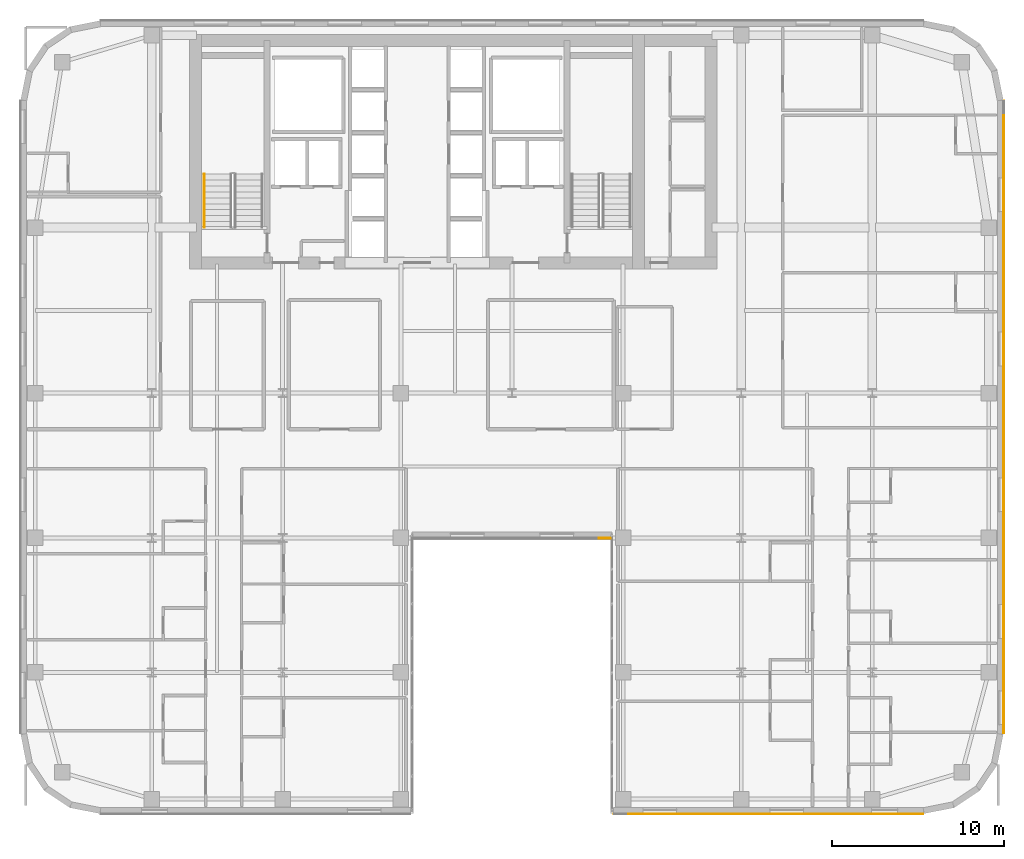
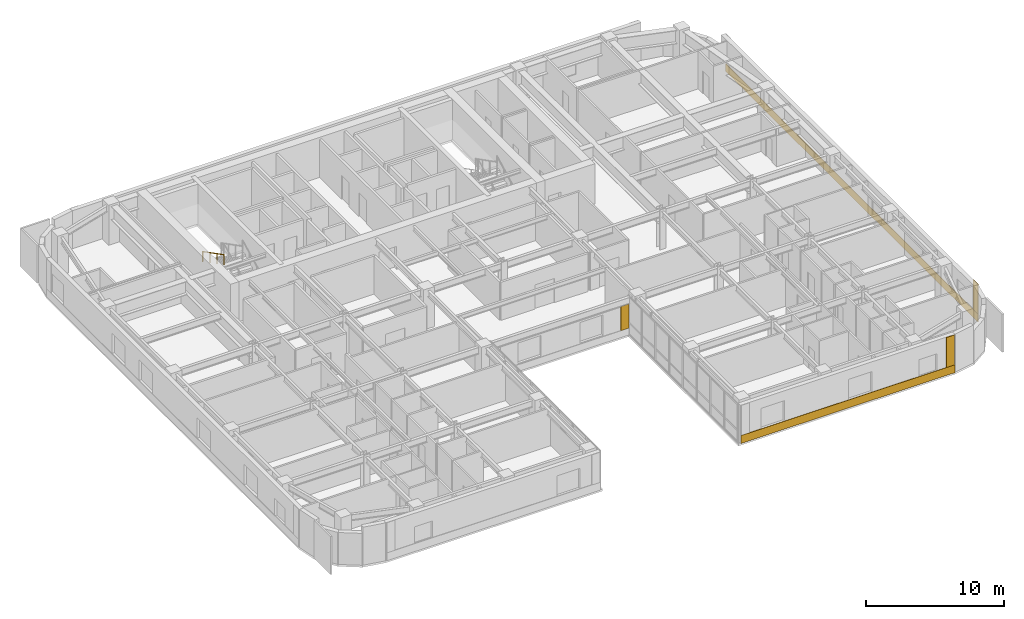
# One storey, part 22 of 25: 5 coverings, 1 railing.
"""IFC4 building model written with IfcOpenShell, lengths in metres."""

from ifc_helpers import new_model, si_unit, direction, frame, origin, origin_2d, place, context, subcontext, project, spatial, polyline, circle, outline, extrude, material, layer, layer_set, type_object, element, save


model = new_model("IFC4")

# Units and contexts
model_context = context("Model", 3, precision=1e-05, world=origin(), true_north=direction((0.0, 1.0)))
body_context = subcontext(model_context, "Body", "Model", "MODEL_VIEW")
ifc_project = project(units=[si_unit("LENGTHUNIT", "METRE"), si_unit("AREAUNIT", "SQUARE_METRE"), si_unit("VOLUMEUNIT", "CUBIC_METRE"), si_unit("PLANEANGLEUNIT", "RADIAN"), si_unit("MASSUNIT", "GRAM", prefix="KILO")], contexts=[model_context])

# Site, building, storey
site_placement = place(None, origin())
site = spatial("IfcSite", under=ifc_project, at=site_placement, CompositionType="ELEMENT")
building_placement = place(site_placement, origin())
building = spatial("IfcBuilding", under=site, at=building_placement, Name="Tolvann Quenvar Hotel", CompositionType="ELEMENT")
storey_placement = place(building_placement, frame((0.0, 0.0, 132.85009765625)))
storey = spatial("IfcBuildingStorey", under=building, at=storey_placement, Name="L34", CompositionType="ELEMENT", Elevation=132.85009765625)

# Coverings
ifc_material_1 = material(Name="Kiln-fired red architectural face brick cladding", Category="masonry")
ifc_layer_1 = layer(ifc_material_1, 0.0400390625)
ifc_layer_set_1 = layer_set([ifc_layer_1], Name="Kiln-fired red architectural face brick cladding")
covering_type_1 = type_object("IfcCoveringType", Name="COV_CLAD_BRICK_40", PredefinedType="CLADDING", material=ifc_layer_set_1)
covering_1_placement = place(storey_placement, frame((0.0, 0.0, 0.6044921875)))
element("IfcCovering", 1, at=covering_1_placement, inside=storey, type_object=covering_type_1, Name="Brick Pier Cladding (L34-E06-P2)", PredefinedType="CLADDING", context=body_context, shape_type="SweptSolid", body=[
    extrude(outline(polyline([(33.5400390625, 16.0), (34.239990234375, 16.0), (34.239990234375, 15.9599609375), (33.5400390625, 15.9599609375), (33.5400390625, 16.0)])), origin(), (0.0, 0.0, 1.0), 2.143310546875),
])
covering_2_placement = place(storey_placement, frame((0.0, 0.0, 0.699951171875)))
element("IfcCovering", 2, at=covering_2_placement, inside=storey, type_object=covering_type_1, Name="Brick Pier Cladding (L34-E08-P2)", PredefinedType="CLADDING", context=body_context, shape_type="SweptSolid", body=[
    extrude(outline(polyline([(51.6328125, 0.0), (52.332763671875, 0.0), (52.332763671875, -0.0400390625), (51.6328125, -0.0400390625), (51.6328125, 0.0)])), origin(), (0.0, 0.0, 1.0), 2.669921875),
])
covering_3_placement = place(storey_placement, frame((0.0, 0.0, 0.699951171875)))
element("IfcCovering", 3, at=covering_3_placement, inside=storey, type_object=covering_type_1, Name="Brick Pier Cladding (L34-E13-P1)", PredefinedType="CLADDING", context=body_context, shape_type="SweptSolid", body=[
    extrude(outline(polyline([(57.0, 4.667236328125), (57.0, 5.3671875), (57.0400390625, 5.3671875), (57.0400390625, 4.667236328125), (57.0, 4.667236328125)])), origin(), (0.0, 0.0, 1.0), 2.669921875),
])
ifc_material_2 = material(Name="Moulded buff architectural terracotta spandrel cladding", Category="masonry")
ifc_layer_2 = layer(ifc_material_2, 0.0400390625)
ifc_layer_set_2 = layer_set([ifc_layer_2], Name="Moulded buff architectural terracotta spandrel cladding")
covering_type_2 = type_object("IfcCoveringType", Name="COV_CLAD_TERRA_40", PredefinedType="CLADDING", material=ifc_layer_set_2)
covering_4_placement = place(storey_placement, origin())
element("IfcCovering", 4, at=covering_4_placement, inside=storey, type_object=covering_type_2, Name="Terracotta Spandrel Cladding (L34-E08)", PredefinedType="CLADDING", context=body_context, shape_type="SweptSolid", body=[
    extrude(outline(polyline([(34.4150390625, 0.0), (52.3427734375, 0.0), (52.3427734375, -0.0400390625), (34.4150390625, -0.0400390625), (34.4150390625, 0.0)])), origin(), (0.0, 0.0, 1.0), 0.699951171875),
])
covering_5_placement = place(storey_placement, origin())
element("IfcCovering", 5, at=covering_5_placement, inside=storey, type_object=covering_type_2, Name="Terracotta Spandrel Cladding (L34-E13)", PredefinedType="CLADDING", context=body_context, shape_type="SweptSolid", body=[
    extrude(outline(polyline([(57.0, 4.6572265625), (57.0, 41.3427734375), (57.0400390625, 41.3427734375), (57.0400390625, 4.6572265625), (57.0, 4.6572265625)])), origin(), (0.0, 0.0, 1.0), 0.699951171875),
])

# Railing
ifc_material_3 = material(Name="Brushed 316 stainless steel balustrade and handrail", Category="steel")
railing_type = type_object("IfcRailingType", Name="HANDRAIL", PredefinedType="HANDRAIL", material=ifc_material_3)
railing_placement = place(storey_placement, frame((10.64990234375, 37.10498046875, 1.952392578125)))
element("IfcRailing", 6, at=railing_placement, inside=storey, type_object=railing_type, Name="L34 ST-C1 stair handrail 2", PredefinedType="HANDRAIL", context=body_context, shape_type="SweptSolid", body=[
    extrude(circle(Radius=0.02392578125, at=origin_2d()), frame((0.0, 0.0, 0.8759765625), z_axis=(0.0, -0.889221982265, 0.45747597342), x_axis=(1.0, 0.0, 0.0)), (0.0, 0.0, 1.0), 3.49169921875),
    extrude(circle(Radius=0.02099609375, at=origin_2d()), origin(), (0.0, 0.0, 1.0), 0.851806640625),
    extrude(circle(Radius=0.02099609375, at=origin_2d()), frame((0.0, -1.034912109375, 0.532470703125)), (0.0, 0.0, 1.0), 0.851806640625),
    extrude(circle(Radius=0.02099609375, at=origin_2d()), frame((0.0, -2.070068359375, 1.06494140625)), (0.0, 0.0, 1.0), 0.851806640625),
    extrude(circle(Radius=0.02099609375, at=origin_2d()), frame((0.0, -3.10498046875, 1.597412109375)), (0.0, 0.0, 1.0), 0.851806640625),
])

save(model, "model.ifc")
